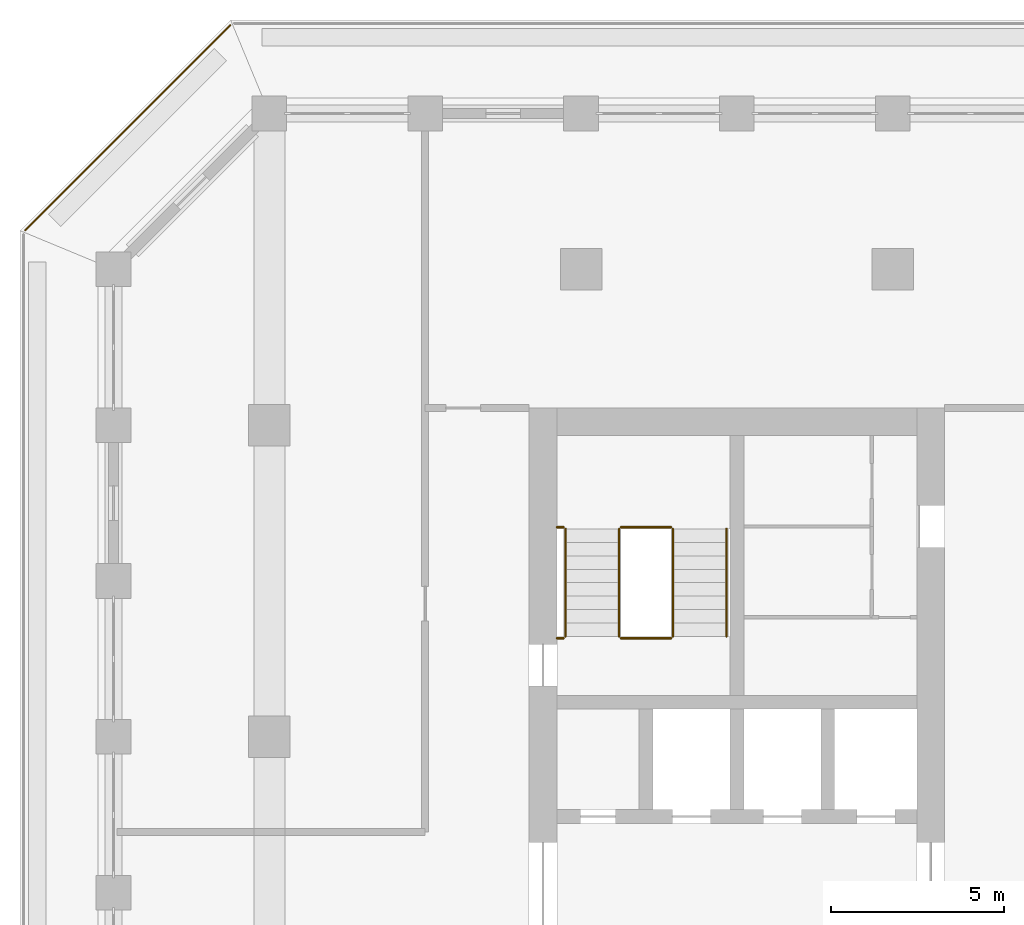
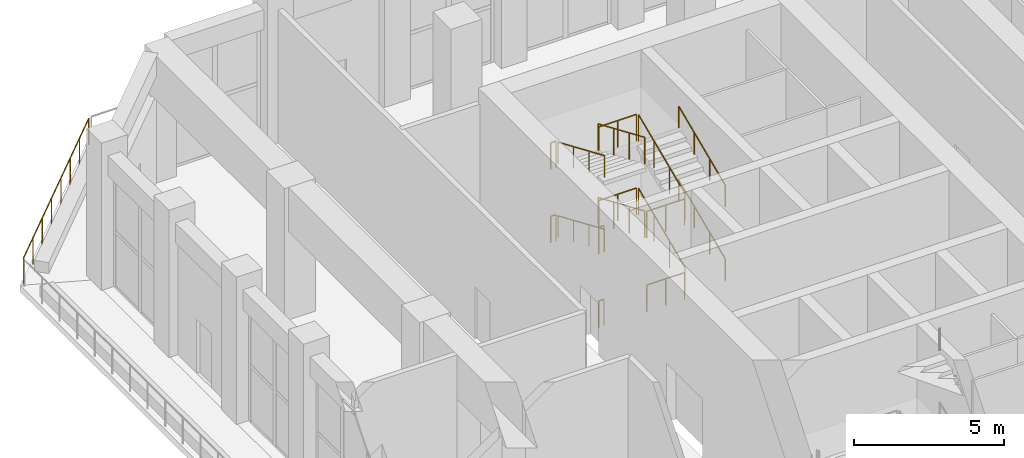
# One storey, part 22 of 25: 17 railings.
"""IFC4 building model written with IfcOpenShell, lengths in metres."""

from ifc_helpers import new_model, si_unit, direction, frame, origin, origin_2d, place, context, subcontext, project, spatial, circle, extrude, material, type_object, element, save


model = new_model("IFC4")

# Units and contexts
model_context = context("Model", 3, precision=1e-05, world=origin(), true_north=direction((0.0, 1.0)))
body_context = subcontext(model_context, "Body", "Model", "MODEL_VIEW")
ifc_project = project(units=[si_unit("LENGTHUNIT", "METRE"), si_unit("AREAUNIT", "SQUARE_METRE"), si_unit("VOLUMEUNIT", "CUBIC_METRE"), si_unit("PLANEANGLEUNIT", "RADIAN"), si_unit("MASSUNIT", "GRAM", prefix="KILO")], contexts=[model_context])

# Site, building, storey
site_placement = place(None, origin())
site = spatial("IfcSite", under=ifc_project, at=site_placement, CompositionType="ELEMENT")
building_placement = place(site_placement, origin())
building = spatial("IfcBuilding", under=site, at=building_placement, Name="Corbel Stack Research Tower", CompositionType="ELEMENT")
storey_placement = place(building_placement, frame((0.0, 0.0, 220.199951171875)))
storey = spatial("IfcBuildingStorey", under=building, at=storey_placement, Name="L50", CompositionType="ELEMENT", Elevation=220.199951171875)

# Railings
ifc_material_1 = material(Name="Steel S355", Category="steel")
railing_type_1 = type_object("IfcRailingType", Name="Stair guard 1100", PredefinedType="GUARDRAIL", material=ifc_material_1)
railing_1_placement = place(storey_placement, frame((-6.35009765625, 11.89990234375, 0.166748046875)))
element("IfcRailing", 1, at=railing_1_placement, inside=storey, type_object=railing_type_1, Name="L50 ST-W2 stair guard 1", PredefinedType="GUARDRAIL", context=body_context, shape_type="SweptSolid", body=[
    extrude(circle(Radius=0.02392578125, at=origin_2d()), frame((0.0, 0.0, 1.076171875), z_axis=(0.0, 0.918826996994, 0.394660549834), x_axis=(-1.0, 0.0, 0.0)), (0.0, 0.0, 1.0), 3.378173828125),
    extrude(circle(Radius=0.02099609375, at=origin_2d()), origin(), (0.0, 0.0, 1.0), 1.052001953125),
    extrude(circle(Radius=0.02099609375, at=origin_2d()), frame((0.0, 1.03466796875, 0.4443359375)), (0.0, 0.0, 1.0), 1.052001953125),
    extrude(circle(Radius=0.02099609375, at=origin_2d()), frame((0.0, 2.0693359375, 0.888916015625)), (0.0, 0.0, 1.0), 1.052001953125),
    extrude(circle(Radius=0.02099609375, at=origin_2d()), frame((0.0, 3.10400390625, 1.333251953125)), (0.0, 0.0, 1.0), 1.052001953125),
])
railing_2_placement = place(storey_placement, frame((-6.39990234375, 15.053955078125, 1.5)))
element("IfcRailing", 2, at=railing_2_placement, inside=storey, type_object=railing_type_1, Name="L50 ST-W2 stair guard 2", PredefinedType="GUARDRAIL", context=body_context, shape_type="SweptSolid", body=[
    extrude(circle(Radius=0.02392578125, at=origin_2d()), frame((0.0, 0.0, 1.076171875), z_axis=(-1.0, 0.0, 0.0), x_axis=(0.0, -1.0, 0.0)), (0.0, 0.0, 1.0), 1.4501953125),
    extrude(circle(Radius=0.02099609375, at=origin_2d()), origin(), (0.0, 0.0, 1.0), 1.052001953125),
    extrude(circle(Radius=0.02099609375, at=origin_2d()), frame((-0.72509765625, 0.0, 0.0)), (0.0, 0.0, 1.0), 1.052001953125),
    extrude(circle(Radius=0.02099609375, at=origin_2d()), frame((-1.4501953125, 0.0, 0.0)), (0.0, 0.0, 1.0), 1.052001953125),
])
railing_3_placement = place(storey_placement, frame((-9.5, 15.053955078125, 1.5)))
element("IfcRailing", 3, at=railing_3_placement, inside=storey, type_object=railing_type_1, Name="L50 ST-W2 stair guard 3", PredefinedType="GUARDRAIL", context=body_context, shape_type="SweptSolid", body=[
    extrude(circle(Radius=0.02392578125, at=origin_2d()), frame((0.0, 0.0, 1.076171875), z_axis=(-1.0, 0.0, 0.0), x_axis=(0.0, -1.0, 0.0)), (0.0, 0.0, 1.0), 0.199951171875),
    extrude(circle(Radius=0.02099609375, at=origin_2d()), origin(), (0.0, 0.0, 1.0), 1.052001953125),
    extrude(circle(Radius=0.02099609375, at=origin_2d()), frame((-0.199951171875, 0.0, 0.0)), (0.0, 0.0, 1.0), 1.052001953125),
])
railing_4_placement = place(storey_placement, frame((-7.89990234375, 15.00390625, 1.666748046875)))
element("IfcRailing", 4, at=railing_4_placement, inside=storey, type_object=railing_type_1, Name="L50 ST-W2 stair guard 4", PredefinedType="GUARDRAIL", context=body_context, shape_type="SweptSolid", body=[
    extrude(circle(Radius=0.02392578125, at=origin_2d()), frame((0.0, 0.0, 1.076171875), z_axis=(0.0, -0.918826996994, 0.394660549834), x_axis=(1.0, 0.0, 0.0)), (0.0, 0.0, 1.0), 3.378173828125),
    extrude(circle(Radius=0.02099609375, at=origin_2d()), origin(), (0.0, 0.0, 1.0), 1.052001953125),
    extrude(circle(Radius=0.02099609375, at=origin_2d()), frame((0.0, -1.03466796875, 0.4443359375)), (0.0, 0.0, 1.0), 1.052001953125),
    extrude(circle(Radius=0.02099609375, at=origin_2d()), frame((0.0, -2.0693359375, 0.888916015625)), (0.0, 0.0, 1.0), 1.052001953125),
    extrude(circle(Radius=0.02099609375, at=origin_2d()), frame((0.0, -3.10400390625, 1.333251953125)), (0.0, 0.0, 1.0), 1.052001953125),
])
railing_5_placement = place(storey_placement, frame((-6.39990234375, 11.85009765625, 3.0)))
element("IfcRailing", 5, at=railing_5_placement, inside=storey, type_object=railing_type_1, Name="L50 ST-W2 stair guard 5", PredefinedType="GUARDRAIL", context=body_context, shape_type="SweptSolid", body=[
    extrude(circle(Radius=0.02392578125, at=origin_2d()), frame((0.0, 0.0, 1.076171875), z_axis=(-1.0, 0.0, 0.0), x_axis=(0.0, -1.0, 0.0)), (0.0, 0.0, 1.0), 1.4501953125),
    extrude(circle(Radius=0.02099609375, at=origin_2d()), origin(), (0.0, 0.0, 1.0), 1.052001953125),
    extrude(circle(Radius=0.02099609375, at=origin_2d()), frame((-0.72509765625, 0.0, 0.0)), (0.0, 0.0, 1.0), 1.052001953125),
    extrude(circle(Radius=0.02099609375, at=origin_2d()), frame((-1.4501953125, 0.0, 0.0)), (0.0, 0.0, 1.0), 1.052001953125),
])
railing_6_placement = place(storey_placement, frame((-9.5, 11.85009765625, 3.0)))
element("IfcRailing", 6, at=railing_6_placement, inside=storey, type_object=railing_type_1, Name="L50 ST-W2 stair guard 6", PredefinedType="GUARDRAIL", context=body_context, shape_type="SweptSolid", body=[
    extrude(circle(Radius=0.02392578125, at=origin_2d()), frame((0.0, 0.0, 1.076171875), z_axis=(-1.0, 0.0, 0.0), x_axis=(0.0, -1.0, 0.0)), (0.0, 0.0, 1.0), 0.199951171875),
    extrude(circle(Radius=0.02099609375, at=origin_2d()), origin(), (0.0, 0.0, 1.0), 1.052001953125),
    extrude(circle(Radius=0.02099609375, at=origin_2d()), frame((-0.199951171875, 0.0, 0.0)), (0.0, 0.0, 1.0), 1.052001953125),
])
railing_7_placement = place(storey_placement, frame((-6.35009765625, 11.89990234375, 3.166748046875)))
element("IfcRailing", 7, at=railing_7_placement, inside=storey, type_object=railing_type_1, Name="L50 ST-W2 stair guard 7", PredefinedType="GUARDRAIL", context=body_context, shape_type="SweptSolid", body=[
    extrude(circle(Radius=0.02392578125, at=origin_2d()), frame((0.0, 0.0, 1.076171875), z_axis=(0.0, 0.918826996994, 0.394660549834), x_axis=(-1.0, 0.0, 0.0)), (0.0, 0.0, 1.0), 3.378173828125),
    extrude(circle(Radius=0.02099609375, at=origin_2d()), origin(), (0.0, 0.0, 1.0), 1.052001953125),
    extrude(circle(Radius=0.02099609375, at=origin_2d()), frame((0.0, 1.03466796875, 0.4443359375)), (0.0, 0.0, 1.0), 1.052001953125),
    extrude(circle(Radius=0.02099609375, at=origin_2d()), frame((0.0, 2.0693359375, 0.888916015625)), (0.0, 0.0, 1.0), 1.052001953125),
    extrude(circle(Radius=0.02099609375, at=origin_2d()), frame((0.0, 3.10400390625, 1.333251953125)), (0.0, 0.0, 1.0), 1.052001953125),
])
railing_8_placement = place(storey_placement, frame((-6.39990234375, 15.053955078125, 4.5)))
element("IfcRailing", 8, at=railing_8_placement, inside=storey, type_object=railing_type_1, Name="L50 ST-W2 stair guard 8", PredefinedType="GUARDRAIL", context=body_context, shape_type="SweptSolid", body=[
    extrude(circle(Radius=0.02392578125, at=origin_2d()), frame((0.0, 0.0, 1.076171875), z_axis=(-1.0, 0.0, 0.0), x_axis=(0.0, -1.0, 0.0)), (0.0, 0.0, 1.0), 1.4501953125),
    extrude(circle(Radius=0.02099609375, at=origin_2d()), origin(), (0.0, 0.0, 1.0), 1.052001953125),
    extrude(circle(Radius=0.02099609375, at=origin_2d()), frame((-0.72509765625, 0.0, 0.0)), (0.0, 0.0, 1.0), 1.052001953125),
    extrude(circle(Radius=0.02099609375, at=origin_2d()), frame((-1.4501953125, 0.0, 0.0)), (0.0, 0.0, 1.0), 1.052001953125),
])
railing_9_placement = place(storey_placement, frame((-9.5, 15.053955078125, 4.5)))
element("IfcRailing", 9, at=railing_9_placement, inside=storey, type_object=railing_type_1, Name="L50 ST-W2 stair guard 9", PredefinedType="GUARDRAIL", context=body_context, shape_type="SweptSolid", body=[
    extrude(circle(Radius=0.02392578125, at=origin_2d()), frame((0.0, 0.0, 1.076171875), z_axis=(-1.0, 0.0, 0.0), x_axis=(0.0, -1.0, 0.0)), (0.0, 0.0, 1.0), 0.199951171875),
    extrude(circle(Radius=0.02099609375, at=origin_2d()), origin(), (0.0, 0.0, 1.0), 1.052001953125),
    extrude(circle(Radius=0.02099609375, at=origin_2d()), frame((-0.199951171875, 0.0, 0.0)), (0.0, 0.0, 1.0), 1.052001953125),
])
railing_10_placement = place(storey_placement, frame((-7.89990234375, 15.00390625, 4.666748046875)))
element("IfcRailing", 10, at=railing_10_placement, inside=storey, type_object=railing_type_1, Name="L50 ST-W2 stair guard 10", PredefinedType="GUARDRAIL", context=body_context, shape_type="SweptSolid", body=[
    extrude(circle(Radius=0.02392578125, at=origin_2d()), frame((0.0, 0.0, 1.076171875), z_axis=(0.0, -0.918826996994, 0.394660549834), x_axis=(1.0, 0.0, 0.0)), (0.0, 0.0, 1.0), 3.378173828125),
    extrude(circle(Radius=0.02099609375, at=origin_2d()), origin(), (0.0, 0.0, 1.0), 1.052001953125),
    extrude(circle(Radius=0.02099609375, at=origin_2d()), frame((0.0, -1.03466796875, 0.4443359375)), (0.0, 0.0, 1.0), 1.052001953125),
    extrude(circle(Radius=0.02099609375, at=origin_2d()), frame((0.0, -2.0693359375, 0.888916015625)), (0.0, 0.0, 1.0), 1.052001953125),
    extrude(circle(Radius=0.02099609375, at=origin_2d()), frame((0.0, -3.10400390625, 1.333251953125)), (0.0, 0.0, 1.0), 1.052001953125),
])
railing_11_placement = place(storey_placement, frame((-6.39990234375, 11.85009765625, 0.0)))
element("IfcRailing", 11, at=railing_11_placement, inside=storey, type_object=railing_type_1, Name="L50 ST-W2 stair guard 11", PredefinedType="GUARDRAIL", context=body_context, shape_type="SweptSolid", body=[
    extrude(circle(Radius=0.02392578125, at=origin_2d()), frame((0.0, 0.0, 1.076171875), z_axis=(-1.0, 0.0, 0.0), x_axis=(0.0, -1.0, 0.0)), (0.0, 0.0, 1.0), 1.4501953125),
    extrude(circle(Radius=0.02099609375, at=origin_2d()), origin(), (0.0, 0.0, 1.0), 1.052001953125),
    extrude(circle(Radius=0.02099609375, at=origin_2d()), frame((-0.72509765625, 0.0, 0.0)), (0.0, 0.0, 1.0), 1.052001953125),
    extrude(circle(Radius=0.02099609375, at=origin_2d()), frame((-1.4501953125, 0.0, 0.0)), (0.0, 0.0, 1.0), 1.052001953125),
])
railing_12_placement = place(storey_placement, frame((-9.5, 11.85009765625, 0.0)))
element("IfcRailing", 12, at=railing_12_placement, inside=storey, type_object=railing_type_1, Name="L50 ST-W2 stair guard 12", PredefinedType="GUARDRAIL", context=body_context, shape_type="SweptSolid", body=[
    extrude(circle(Radius=0.02392578125, at=origin_2d()), frame((0.0, 0.0, 1.076171875), z_axis=(-1.0, 0.0, 0.0), x_axis=(0.0, -1.0, 0.0)), (0.0, 0.0, 1.0), 0.199951171875),
    extrude(circle(Radius=0.02099609375, at=origin_2d()), origin(), (0.0, 0.0, 1.0), 1.052001953125),
    extrude(circle(Radius=0.02099609375, at=origin_2d()), frame((-0.199951171875, 0.0, 0.0)), (0.0, 0.0, 1.0), 1.052001953125),
])
ifc_material_2 = material(Name="Steel S355", Category="steel")
railing_type_2 = type_object("IfcRailingType", Name="Stair handrail 900", PredefinedType="HANDRAIL", material=ifc_material_2)
railing_13_placement = place(storey_placement, frame((-4.800048828125, 11.89990234375, 0.166748046875)))
element("IfcRailing", 13, at=railing_13_placement, inside=storey, type_object=railing_type_2, Name="L50 ST-W2 stair handrail 1", PredefinedType="HANDRAIL", context=body_context, shape_type="SweptSolid", body=[
    extrude(circle(Radius=0.02392578125, at=origin_2d()), frame((0.0, 0.0, 0.8759765625), z_axis=(0.0, 0.918826996994, 0.394660549834), x_axis=(-1.0, 0.0, 0.0)), (0.0, 0.0, 1.0), 3.378173828125),
    extrude(circle(Radius=0.02099609375, at=origin_2d()), origin(), (0.0, 0.0, 1.0), 0.851806640625),
    extrude(circle(Radius=0.02099609375, at=origin_2d()), frame((0.0, 1.03466796875, 0.4443359375)), (0.0, 0.0, 1.0), 0.851806640625),
    extrude(circle(Radius=0.02099609375, at=origin_2d()), frame((0.0, 2.0693359375, 0.888916015625)), (0.0, 0.0, 1.0), 0.851806640625),
    extrude(circle(Radius=0.02099609375, at=origin_2d()), frame((0.0, 3.10400390625, 1.333251953125)), (0.0, 0.0, 1.0), 0.851806640625),
])
railing_14_placement = place(storey_placement, frame((-9.449951171875, 15.00390625, 1.666748046875)))
element("IfcRailing", 14, at=railing_14_placement, inside=storey, type_object=railing_type_2, Name="L50 ST-W2 stair handrail 2", PredefinedType="HANDRAIL", context=body_context, shape_type="SweptSolid", body=[
    extrude(circle(Radius=0.02392578125, at=origin_2d()), frame((0.0, 0.0, 0.8759765625), z_axis=(0.0, -0.918826996994, 0.394660549834), x_axis=(1.0, 0.0, 0.0)), (0.0, 0.0, 1.0), 3.378173828125),
    extrude(circle(Radius=0.02099609375, at=origin_2d()), origin(), (0.0, 0.0, 1.0), 0.851806640625),
    extrude(circle(Radius=0.02099609375, at=origin_2d()), frame((0.0, -1.03466796875, 0.4443359375)), (0.0, 0.0, 1.0), 0.851806640625),
    extrude(circle(Radius=0.02099609375, at=origin_2d()), frame((0.0, -2.0693359375, 0.888916015625)), (0.0, 0.0, 1.0), 0.851806640625),
    extrude(circle(Radius=0.02099609375, at=origin_2d()), frame((0.0, -3.10400390625, 1.333251953125)), (0.0, 0.0, 1.0), 0.851806640625),
])
railing_15_placement = place(storey_placement, frame((-4.800048828125, 11.89990234375, 3.166748046875)))
element("IfcRailing", 15, at=railing_15_placement, inside=storey, type_object=railing_type_2, Name="L50 ST-W2 stair handrail 3", PredefinedType="HANDRAIL", context=body_context, shape_type="SweptSolid", body=[
    extrude(circle(Radius=0.02392578125, at=origin_2d()), frame((0.0, 0.0, 0.8759765625), z_axis=(0.0, 0.918826996994, 0.394660549834), x_axis=(-1.0, 0.0, 0.0)), (0.0, 0.0, 1.0), 3.378173828125),
    extrude(circle(Radius=0.02099609375, at=origin_2d()), origin(), (0.0, 0.0, 1.0), 0.851806640625),
    extrude(circle(Radius=0.02099609375, at=origin_2d()), frame((0.0, 1.03466796875, 0.4443359375)), (0.0, 0.0, 1.0), 0.851806640625),
    extrude(circle(Radius=0.02099609375, at=origin_2d()), frame((0.0, 2.0693359375, 0.888916015625)), (0.0, 0.0, 1.0), 0.851806640625),
    extrude(circle(Radius=0.02099609375, at=origin_2d()), frame((0.0, 3.10400390625, 1.333251953125)), (0.0, 0.0, 1.0), 0.851806640625),
])
railing_16_placement = place(storey_placement, frame((-9.449951171875, 15.00390625, 4.666748046875)))
element("IfcRailing", 16, at=railing_16_placement, inside=storey, type_object=railing_type_2, Name="L50 ST-W2 stair handrail 4", PredefinedType="HANDRAIL", context=body_context, shape_type="SweptSolid", body=[
    extrude(circle(Radius=0.02392578125, at=origin_2d()), frame((0.0, 0.0, 0.8759765625), z_axis=(0.0, -0.918826996994, 0.394660549834), x_axis=(1.0, 0.0, 0.0)), (0.0, 0.0, 1.0), 3.378173828125),
    extrude(circle(Radius=0.02099609375, at=origin_2d()), origin(), (0.0, 0.0, 1.0), 0.851806640625),
    extrude(circle(Radius=0.02099609375, at=origin_2d()), frame((0.0, -1.03466796875, 0.4443359375)), (0.0, 0.0, 1.0), 0.851806640625),
    extrude(circle(Radius=0.02099609375, at=origin_2d()), frame((0.0, -2.0693359375, 0.888916015625)), (0.0, 0.0, 1.0), 0.851806640625),
    extrude(circle(Radius=0.02099609375, at=origin_2d()), frame((0.0, -3.10400390625, 1.333251953125)), (0.0, 0.0, 1.0), 0.851806640625),
])
ifc_material_3 = material(Name="Powder-coated steel guard", Category="steel")
railing_type_3 = type_object("IfcRailingType", Name="Steel and glass guard 1100", PredefinedType="GUARDRAIL", material=ifc_material_3)
railing_17_placement = place(storey_placement, frame((-19.127685546875, 29.54931640625, 0.0)))
element("IfcRailing", 17, at=railing_17_placement, inside=storey, type_object=railing_type_3, Name="Loggia guard L50 NW", PredefinedType="GUARDRAIL", context=body_context, shape_type="SweptSolid", body=[
    extrude(circle(Radius=0.02392578125, at=origin_2d()), frame((0.0, 0.0, 1.076171875), z_axis=(-0.707106781187, -0.707106781187, 0.0), x_axis=(0.707106781187, -0.707106781187, 0.0)), (0.0, 0.0, 1.0), 8.37451171875),
    extrude(circle(Radius=0.02099609375, at=origin_2d()), origin(), (0.0, 0.0, 1.0), 1.052001953125),
    extrude(circle(Radius=0.02099609375, at=origin_2d()), frame((-0.845947265625, -0.845947265625, 0.0)), (0.0, 0.0, 1.0), 1.052001953125),
    extrude(circle(Radius=0.02099609375, at=origin_2d()), frame((-1.69189453125, -1.69189453125, 0.0)), (0.0, 0.0, 1.0), 1.052001953125),
    extrude(circle(Radius=0.02099609375, at=origin_2d()), frame((-2.537841796875, -2.537841796875, 0.0)), (0.0, 0.0, 1.0), 1.052001953125),
    extrude(circle(Radius=0.02099609375, at=origin_2d()), frame((-3.3837890625, -3.3837890625, 0.0)), (0.0, 0.0, 1.0), 1.052001953125),
    extrude(circle(Radius=0.02099609375, at=origin_2d()), frame((-4.229736328125, -4.229736328125, 0.0)), (0.0, 0.0, 1.0), 1.052001953125),
    extrude(circle(Radius=0.02099609375, at=origin_2d()), frame((-5.07568359375, -5.07568359375, 0.0)), (0.0, 0.0, 1.0), 1.052001953125),
    extrude(circle(Radius=0.02099609375, at=origin_2d()), frame((-5.921630859375, -5.921630859375, 0.0)), (0.0, 0.0, 1.0), 1.052001953125),
])

save(model, "model.ifc")
